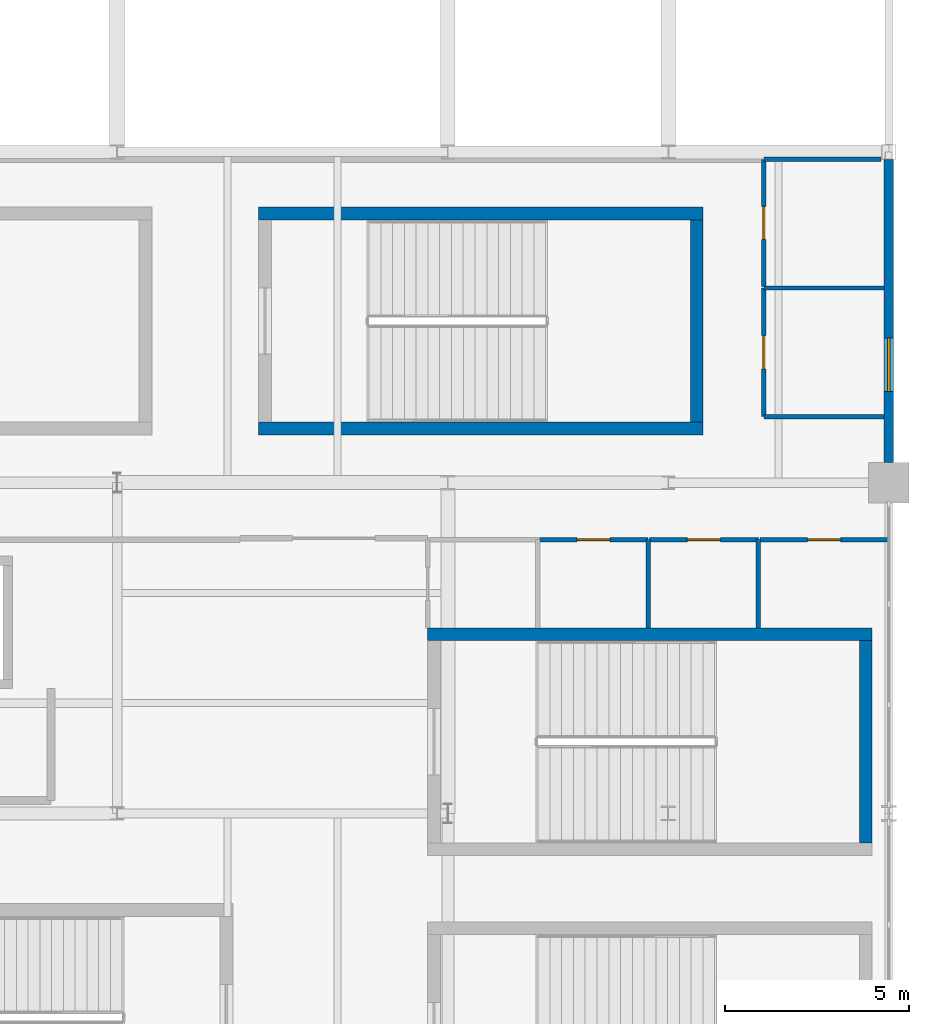
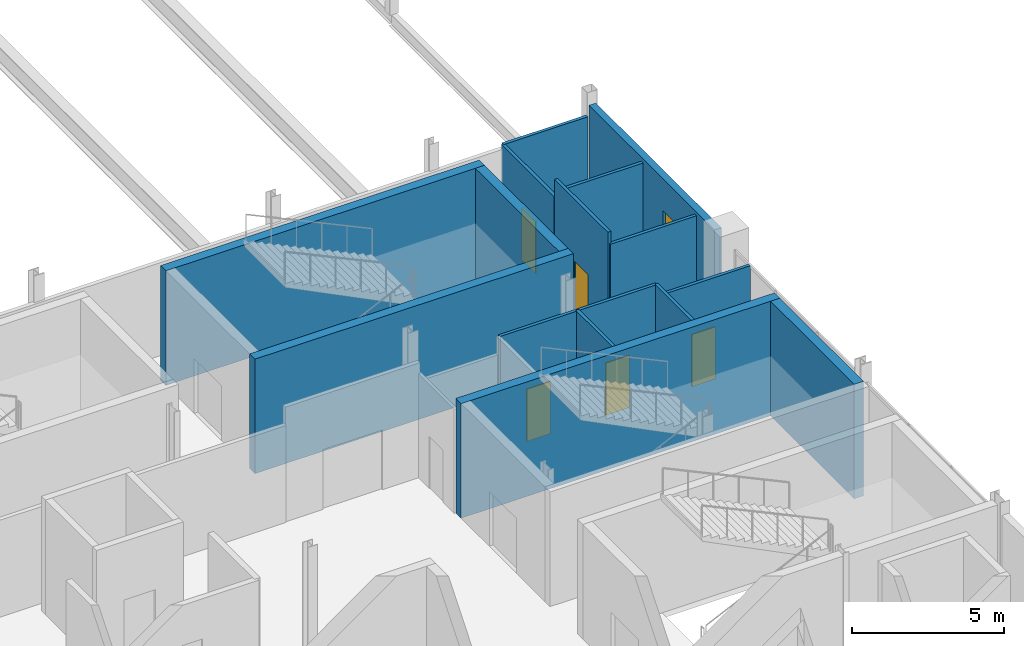
# One storey, part 201 of 224: 16 walls, 5 doors, 1 window, 6 openings.
"""IFC4 building model written with IfcOpenShell, lengths in metres."""

import ifcopenshell
import ifcopenshell.guid

model = None  # the IFC model being written
_history = None  # IfcOwnerHistory: only IFC2X3 demands one
_inside = {}  # id of a spatial element -> (the spatial element, [elements in it])
_under = {}  # id of a project, library or spatial element -> (it, [spatial elements below it])
_declared = {}  # id of a project -> (the project, [libraries it declares])
_typed = {}  # id of a type object -> (the type object, [elements of that type])
_made_of = {}  # id of a material, layer set ... -> (it, [elements and type objects made of it])


def new_model(schema):
    """Start an empty IFC model of exactly this schema.

    Asked for "IFC4X3", IfcOpenShell would pick the latest addendum, in which some entities
    have other attributes; the version numbers below select the first issue.
    IFC2X3 requires an IfcOwnerHistory on every rooted entity: one is made here for all.
    """
    global model, _history
    if schema == "IFC4X3":
        model = ifcopenshell.file(schema_version=(4, 3, 0, 0))
    else:
        model = ifcopenshell.file(schema=schema)
    _inside.clear()
    _under.clear()
    _declared.clear()
    _typed.clear()
    _made_of.clear()
    _history = None
    if model.schema == "IFC2X3":
        org = make("IfcOrganization", Name="unknown")
        user = make(
            "IfcPersonAndOrganization",
            ThePerson=make("IfcPerson", FamilyName="unknown"),
            TheOrganization=org,
        )
        app = make(
            "IfcApplication",
            ApplicationDeveloper=org,
            Version="unknown",
            ApplicationFullName="unknown",
            ApplicationIdentifier="unknown",
        )
        _history = make(
            "IfcOwnerHistory",
            OwningUser=user,
            OwningApplication=app,
            ChangeAction="ADDED",
            CreationDate=0,
        )
    return model


def make(cls, **values):
    """One entity of the class cls with the attributes given. An attribute that is None is left unset."""
    return model.create_entity(
        cls, **{name: value for name, value in values.items() if value is not None}
    )


def rooted(cls, **values):
    """An entity with a GlobalId (a new one), such as an element, a storey or a relation."""
    return make(cls, GlobalId=ifcopenshell.guid.new(), OwnerHistory=_history, **values)


def si_unit(unit_type, name, prefix=None):
    """IfcSIUnit, for example si_unit("LENGTHUNIT", "METRE", prefix="MILLI")."""
    return make("IfcSIUnit", UnitType=unit_type, Prefix=prefix, Name=name)


def assignment(units):
    """IfcUnitAssignment: the units of a project."""
    return None if units is None else make("IfcUnitAssignment", Units=units)


def point(xyz):
    """IfcCartesianPoint."""
    return None if xyz is None else make("IfcCartesianPoint", Coordinates=xyz)


def direction(xyz):
    """IfcDirection."""
    return None if xyz is None else make("IfcDirection", DirectionRatios=xyz)


def frame(location, z_axis=None, x_axis=None):
    """IfcAxis2Placement3D, a coordinate frame: its origin and axes. An axis left out is left unset."""
    return make(
        "IfcAxis2Placement3D",
        Location=point(location),
        Axis=direction(z_axis),
        RefDirection=direction(x_axis),
    )


def frame_2d(location, x_axis=None):
    """IfcAxis2Placement2D, a coordinate frame in the plane: its origin and x axis."""
    return make(
        "IfcAxis2Placement2D", Location=point(location), RefDirection=direction(x_axis)
    )


def origin():
    """The frame at (0, 0, 0) with its axes left unset."""
    return frame((0.0, 0.0, 0.0))


def place(relative_to, where):
    """IfcLocalPlacement: puts the frame where relative to a parent placement (None: the world)."""
    return make(
        "IfcLocalPlacement", PlacementRelTo=relative_to, RelativePlacement=where
    )


def context(
    kind, dimensions, precision=None, world=None, true_north=None, identifier=None
):
    """IfcGeometricRepresentationContext, for example the 3D "Model" context."""
    return make(
        "IfcGeometricRepresentationContext",
        ContextIdentifier=identifier,
        ContextType=kind,
        CoordinateSpaceDimension=dimensions,
        Precision=precision,
        WorldCoordinateSystem=world,
        TrueNorth=true_north,
    )


def subcontext(parent, identifier, kind, view, scale=None):
    """IfcGeometricRepresentationSubContext, for example "Body" below "Model"."""
    return make(
        "IfcGeometricRepresentationSubContext",
        ContextIdentifier=identifier,
        ContextType=kind,
        ParentContext=parent,
        TargetScale=scale,
        TargetView=view,
    )


def project(units=None, contexts=None):
    """IfcProject with its units and contexts."""
    return rooted(
        "IfcProject",
        Name="project",
        RepresentationContexts=contexts,
        UnitsInContext=assignment(units),
    )


def spatial(cls, under=None, at=None, **own):
    """A site, building, storey or space (cls), placed at a placement, below another one or the project."""
    s = rooted(cls, ObjectPlacement=at, **own)
    if under is not None:
        _under.setdefault(under.id(), (under, []))[1].append(s)
    return s


def profile(cls, at=None, kind="AREA", **sizes):
    """A parametric profile (cls). Its sizes go by their IFC names, for example OverallWidth=200.0."""
    return make(cls, ProfileType=kind, Position=at, **sizes)


def rectangle(**sizes):
    """IfcRectangleProfileDef."""
    return profile("IfcRectangleProfileDef", **sizes)


def extrude(swept, where, along, depth):
    """IfcExtrudedAreaSolid: the profile swept, set in the frame where, extruded along a direction by depth."""
    return make(
        "IfcExtrudedAreaSolid",
        SweptArea=swept,
        Position=where,
        ExtrudedDirection=direction(along),
        Depth=depth,
    )


def shape(context_of_items, identifier, shape_type, items):
    """IfcShapeRepresentation: the items that make up one representation, for example the "Body"."""
    return make(
        "IfcShapeRepresentation",
        ContextOfItems=context_of_items,
        RepresentationIdentifier=identifier,
        RepresentationType=shape_type,
        Items=items,
    )


def material(Name=None, Category=None):
    """IfcMaterial."""
    return make("IfcMaterial", Name=Name, Category=Category)


def layer(
    of_material, thickness, ventilated=None, Name=None, Category=None, Priority=None
):
    """IfcMaterialLayer: one layer of a wall or slab, of a material (None: an air gap)."""
    return make(
        "IfcMaterialLayer",
        Material=of_material,
        LayerThickness=thickness,
        IsVentilated=ventilated,
        Name=Name,
        Category=Category,
        Priority=Priority,
    )


def layer_set(layers, Name=None):
    """IfcMaterialLayerSet."""
    return make("IfcMaterialLayerSet", MaterialLayers=layers, LayerSetName=Name)


def made_of(thing, what):
    """Note that an element or type object is made of a material, layer set ...; save() writes the relation."""
    if what is not None:
        _made_of.setdefault(what.id(), (what, []))[1].append(thing)
    return thing


def type_object(cls, material=None, **own):
    """A type object (cls), such as IfcWallType, which elements share."""
    return made_of(rooted(cls, **own), material)


def element(
    cls,
    number,
    at=None,
    inside=None,
    cuts=None,
    type_object=None,
    material=None,
    context=None,
    identifier="Body",
    shape_type=None,
    held_by="IfcProductDefinitionShape",
    body=None,
    shapes=None,
    **own,
):
    """One element of the class cls, such as IfcWall. Its Tag is "e" and its number.

    at: its placement. inside: the storey or other place that contains it. cuts: it is an
    opening in that element (IfcRelVoidsElement). A single representation is given by context,
    identifier, shape_type and body (its items); several are given by shapes. held_by: the class
    of the entity that holds the representations. save() writes the other relations.
    """
    e = rooted(cls, Tag="e%d" % number, ObjectPlacement=at, **own)
    if body is not None:
        shapes = [shape(context, identifier, shape_type, body)]
    if shapes is not None:
        e.Representation = make(held_by, Representations=shapes)
    if inside is not None:
        _inside.setdefault(inside.id(), (inside, []))[1].append(e)
    if cuts is not None:
        rooted(
            "IfcRelVoidsElement", RelatingBuildingElement=cuts, RelatedOpeningElement=e
        )
    if type_object is not None:
        _typed.setdefault(type_object.id(), (type_object, []))[1].append(e)
    return made_of(e, material)


def fill(opening, filler):
    """IfcRelFillsElement: the door or window that sits in an opening."""
    return rooted(
        "IfcRelFillsElement",
        RelatingOpeningElement=opening,
        RelatedBuildingElement=filler,
    )


def aggregate(whole, parts):
    """IfcRelAggregates: a whole, such as a stair, and the parts it consists of."""
    return rooted("IfcRelAggregates", RelatingObject=whole, RelatedObjects=parts)


def save(model, path):
    """Write the relations noted so far, then the file.

    IfcRelAggregates (storeys below a building ...), IfcRelContainedInSpatialStructure (elements
    in a storey), IfcRelDefinesByType, IfcRelAssociatesMaterial and IfcRelDeclares: one each for
    every whole, place, type object, material and project.
    """
    for whole, parts in _under.values():
        aggregate(whole, parts)
    for where, things in _inside.values():
        rooted(
            "IfcRelContainedInSpatialStructure",
            RelatedElements=things,
            RelatingStructure=where,
        )
    for kind, things in _typed.values():
        rooted("IfcRelDefinesByType", RelatedObjects=things, RelatingType=kind)
    for what, things in _made_of.values():
        rooted("IfcRelAssociatesMaterial", RelatedObjects=things, RelatingMaterial=what)
    for by, libraries in _declared.values():
        rooted("IfcRelDeclares", RelatingContext=by, RelatedDefinitions=libraries)
    model.write(path)


model = new_model("IFC4")

# Units and contexts
model_context = context("Model", 3, precision=1e-05, world=origin(), true_north=direction((0.0, 1.0)))
body_context = subcontext(model_context, "Body", "Model", "MODEL_VIEW")
ifc_project = project(units=[si_unit("LENGTHUNIT", "METRE"), si_unit("AREAUNIT", "SQUARE_METRE"), si_unit("VOLUMEUNIT", "CUBIC_METRE"), si_unit("PLANEANGLEUNIT", "RADIAN"), si_unit("MASSUNIT", "GRAM", prefix="KILO")], contexts=[model_context])

# Site, building, storey
site_placement = place(None, origin())
site = spatial("IfcSite", under=ifc_project, at=site_placement, CompositionType="ELEMENT")
building_placement = place(site_placement, origin())
building = spatial("IfcBuilding", under=site, at=building_placement, Name="Qamarlyn Nura Convention Centre", CompositionType="ELEMENT")
storey_placement = place(building_placement, frame((0.0, 0.0, 10.800048828125)))
storey = spatial("IfcBuildingStorey", under=building, at=storey_placement, Name="L02", CompositionType="ELEMENT", Elevation=10.800048828125)

# Walls
ifc_material_1 = material(Name="Concrete C50/60", Category="concrete")
ifc_layer_1 = layer(ifc_material_1, 0.35009765625, Name="WT-CORE-350")
ifc_layer_set_1 = layer_set([ifc_layer_1], Name="Concrete C50/60")
wall_type_1 = type_object("IfcWallType", Name="WT-CORE-350", PredefinedType="SHEAR", material=ifc_layer_set_1)
wall_1_placement = place(storey_placement, frame((191.550048828125, 76.875, 0.0), z_axis=(0.0, 0.0, 1.0), x_axis=(-1.0, 0.0, 0.0)))
element("IfcWall", 1, at=wall_1_placement, inside=storey, type_object=wall_type_1, Name="L02 stair core shear wall ST-14-N", PredefinedType="SHEAR", context=body_context, shape_type="SweptSolid", body=[
    extrude(rectangle(XDim=12.10009765625, YDim=0.35009765625, at=frame_2d((6.050048828125, 0.0))), origin(), (0.0, 0.0, 1.0), 4.599853515625),
])
wall_2_placement = place(storey_placement, frame((191.375, 71.199951171875, 0.0), z_axis=(0.0, 0.0, 1.0), x_axis=(0.0, 1.0, 0.0)))
element("IfcWall", 2, at=wall_2_placement, inside=storey, type_object=wall_type_1, Name="L02 stair core shear wall ST-14-E", PredefinedType="SHEAR", context=body_context, shape_type="SweptSolid", body=[
    extrude(rectangle(XDim=5.5, YDim=0.35009765625, at=frame_2d((2.75, 0.0))), origin(), (0.0, 0.0, 1.0), 4.599853515625),
])
for number, where, z_axis, x_axis, name in (
    (3, (174.85009765625, 82.47509765625, 0.0), (0.0, 0.0, 1.0), (1.0, 0.0, 0.0), "L02 stair core shear wall ST-17-S"),
    (4, (186.949951171875, 88.324951171875, 0.0), (0.0, 0.0, 1.0), (-1.0, 0.0, 0.0), "L02 stair core shear wall ST-17-N"),
):
    element("IfcWall", number, at=place(storey_placement, frame(where, z_axis=z_axis, x_axis=x_axis)), inside=storey, type_object=wall_type_1, Name=name, PredefinedType="SHEAR", context=body_context, shape_type="SweptSolid", body=[
        extrude(rectangle(XDim=12.099853515625, YDim=0.35009765625, at=frame_2d((6.0498046875, 0.0))), origin(), (0.0, 0.0, 1.0), 4.599853515625),
    ])
wall_3_placement = place(storey_placement, frame((186.77490234375, 82.64990234375, 0.0), z_axis=(0.0, 0.0, 1.0), x_axis=(0.0, 1.0, 0.0)))
element("IfcWall", 5, at=wall_3_placement, inside=storey, type_object=wall_type_1, Name="L02 stair core shear wall ST-17-E", PredefinedType="SHEAR", context=body_context, shape_type="SweptSolid", body=[
    extrude(rectangle(XDim=5.5, YDim=0.35009765625, at=frame_2d((2.75, 0.0))), origin(), (0.0, 0.0, 1.0), 4.599853515625),
])

# Wall, opening, window
ifc_material_2 = material(Name="Concrete C40/50", Category="concrete")
ifc_layer_2 = layer(ifc_material_2, 0.260009765625, Name="WT-EXT-260")
ifc_layer_set_2 = layer_set([ifc_layer_2], Name="Concrete C40/50")
wall_type_2 = type_object("IfcWallType", Name="WT-EXT-260", PredefinedType="SOLIDWALL", material=ifc_layer_set_2)
wall_4_placement = place(storey_placement, frame((192.0, 89.800048828125, 0.0), z_axis=(0.0, 0.0, 1.0), x_axis=(0.0, -1.0, 0.0)))
wall_4 = element("IfcWall", 6, at=wall_4_placement, inside=storey, type_object=wall_type_2, Name="L02 exterior facade wall WEXT-L02-1920-898-1920-816", PredefinedType="SOLIDWALL", context=body_context, shape_type="SweptSolid", body=[
    extrude(rectangle(XDim=8.25, YDim=0.260009765625, at=frame_2d((4.125, 0.0))), origin(), (0.0, 0.0, 1.0), 4.284912109375),
])
opening_1_placement = place(wall_4_placement, frame((4.862548828125, 0.0, 0.949951171875)))
opening_1 = element("IfcOpeningElement", 7, at=opening_1_placement, cuts=wall_4, Name="Opening WN13", PredefinedType="OPENING", context=body_context, shape_type="SweptSolid", body=[
    extrude(rectangle(XDim=1.449951171875, YDim=2.050048828125, at=frame_2d((0.72509765625, 1.02490234375))), frame((0.0, 0.14013671875, 0.0), z_axis=(0.0, -1.0, 0.0), x_axis=(1.0, 0.0, 0.0)), (0.0, 0.0, 1.0), 0.280029296875),
])
ifc_material_3 = material(Name="Double-silver low-E insulated glass", Category="glass")
window_type = type_object("IfcWindowType", Name="WIN-SOL-13", PartitioningType="SINGLE_PANEL", PredefinedType="WINDOW", material=ifc_material_3)
window_placement = place(opening_1_placement, origin())
window = element("IfcWindow", 8, at=window_placement, inside=storey, type_object=window_type, Name="L02 solar-control window 037", OverallHeight=2.050048828125, OverallWidth=1.449951171875, PartitioningType="SINGLE_PANEL", PredefinedType="WINDOW", context=body_context, shape_type="SweptSolid", body=[
    extrude(rectangle(XDim=1.449951171875, YDim=2.050048828125, at=frame_2d((0.72509765625, 1.02490234375))), frame((0.0, 0.030029296875, 0.0), z_axis=(0.0, -1.0, 0.0), x_axis=(1.0, 0.0, 0.0)), (0.0, 0.0, 1.0), 0.06005859375),
])
fill(opening_1, window)

# Wall
ifc_material_4 = material(Name="Acoustic double-stud gypsum partition")
ifc_layer_3 = layer(ifc_material_4, 0.1201171875, Name="WT-PART-120")
ifc_layer_set_3 = layer_set([ifc_layer_3], Name="Acoustic double-stud gypsum partition")
wall_type_3 = type_object("IfcWallType", Name="WT-PART-120", PredefinedType="PARTITIONING", material=ifc_layer_set_3)
wall_5_placement = place(storey_placement, frame((185.449951171875, 79.449951171875, 0.0), z_axis=(0.0, 0.0, 1.0), x_axis=(0.0, -1.0, 0.0)))
element("IfcWall", 9, at=wall_5_placement, inside=storey, type_object=wall_type_3, Name="L02 interior partition L02-SIB-02-1-1", PredefinedType="PARTITIONING", context=body_context, shape_type="SweptSolid", body=[
    extrude(rectangle(XDim=2.39990234375, YDim=0.1201171875, at=frame_2d((1.199951171875, 0.0))), origin(), (0.0, 0.0, 1.0), 4.599853515625),
])

# Wall, opening, door
wall_6_placement = place(storey_placement, frame((182.489990234375, 79.449951171875, 0.0), z_axis=(0.0, 0.0, 1.0), x_axis=(1.0, 0.0, 0.0)))
wall_6 = element("IfcWall", 10, at=wall_6_placement, inside=storey, type_object=wall_type_3, Name="L02 interior partition L02-SIB-02-4-1", PredefinedType="PARTITIONING", context=body_context, shape_type="SweptSolid", body=[
    extrude(rectangle(XDim=2.9599609375, YDim=0.1201171875, at=frame_2d((1.47998046875, 0.0))), origin(), (0.0, 0.0, 1.0), 4.599853515625),
])
opening_2_placement = place(wall_6_placement, frame((1.030029296875, 0.0, 0.0)))
opening_2 = element("IfcOpeningElement", 11, at=opening_2_placement, cuts=wall_6, Name="Opening D-L02-172", PredefinedType="OPENING", context=body_context, shape_type="SweptSolid", body=[
    extrude(rectangle(XDim=0.89990234375, YDim=2.10009765625, at=frame_2d((0.449951171875, 1.050048828125))), frame((0.0, 0.070068359375, 0.0), z_axis=(0.0, -1.0, 0.0), x_axis=(1.0, 0.0, 0.0)), (0.0, 0.0, 1.0), 0.14013671875),
])
ifc_material_5 = material(Name="Acoustic walnut timber leaf", Category="wood")
door_type = type_object("IfcDoorType", Name="DR-SIB-090", OperationType="NOTDEFINED", PredefinedType="DOOR", material=ifc_material_5)
door_1_placement = place(opening_2_placement, origin())
door_1 = element("IfcDoor", 12, at=door_1_placement, inside=storey, type_object=door_type, Name="L02 Simultaneous Interpretation Booth 2 door D-L02-172", OperationType="SINGLE_SWING_LEFT", OverallHeight=2.10009765625, OverallWidth=0.89990234375, PredefinedType="DOOR", context=body_context, shape_type="SweptSolid", body=[
    extrude(rectangle(XDim=0.89990234375, YDim=2.10009765625, at=frame_2d((0.449951171875, 1.050048828125))), frame((0.0, 0.02490234375, 0.0), z_axis=(0.0, -1.0, 0.0), x_axis=(1.0, 0.0, 0.0)), (0.0, 0.0, 1.0), 0.050048828125),
])
fill(opening_2, door_1)

# Wall
wall_7_placement = place(storey_placement, frame((188.449951171875, 79.449951171875, 0.0), z_axis=(0.0, 0.0, 1.0), x_axis=(0.0, -1.0, 0.0)))
element("IfcWall", 13, at=wall_7_placement, inside=storey, type_object=wall_type_3, Name="L02 interior partition L02-SIB-03-1-1", PredefinedType="PARTITIONING", context=body_context, shape_type="SweptSolid", body=[
    extrude(rectangle(XDim=2.39990234375, YDim=0.1201171875, at=frame_2d((1.199951171875, 0.0))), origin(), (0.0, 0.0, 1.0), 4.599853515625),
])

# Wall, opening, door
wall_8_placement = place(storey_placement, frame((185.489990234375, 79.449951171875, 0.0), z_axis=(0.0, 0.0, 1.0), x_axis=(1.0, 0.0, 0.0)))
wall_8 = element("IfcWall", 14, at=wall_8_placement, inside=storey, type_object=wall_type_3, Name="L02 interior partition L02-SIB-03-4-1", PredefinedType="PARTITIONING", context=body_context, shape_type="SweptSolid", body=[
    extrude(rectangle(XDim=2.9599609375, YDim=0.1201171875, at=frame_2d((1.47998046875, 0.0))), origin(), (0.0, 0.0, 1.0), 4.599853515625),
])
opening_3_placement = place(wall_8_placement, frame((1.030029296875, 0.0, 0.0)))
opening_3 = element("IfcOpeningElement", 15, at=opening_3_placement, cuts=wall_8, Name="Opening D-L02-173", PredefinedType="OPENING", context=body_context, shape_type="SweptSolid", body=[
    extrude(rectangle(XDim=0.89990234375, YDim=2.10009765625, at=frame_2d((0.449951171875, 1.050048828125))), frame((0.0, 0.070068359375, 0.0), z_axis=(0.0, -1.0, 0.0), x_axis=(1.0, 0.0, 0.0)), (0.0, 0.0, 1.0), 0.14013671875),
])
door_2_placement = place(opening_3_placement, origin())
door_2 = element("IfcDoor", 16, at=door_2_placement, inside=storey, type_object=door_type, Name="L02 Simultaneous Interpretation Booth 3 door D-L02-173", OperationType="SINGLE_SWING_RIGHT", OverallHeight=2.10009765625, OverallWidth=0.89990234375, PredefinedType="DOOR", context=body_context, shape_type="SweptSolid", body=[
    extrude(rectangle(XDim=0.89990234375, YDim=2.10009765625, at=frame_2d((0.449951171875, 1.050048828125))), frame((0.0, 0.02490234375, 0.0), z_axis=(0.0, -1.0, 0.0), x_axis=(1.0, 0.0, 0.0)), (0.0, 0.0, 1.0), 0.050048828125),
])
fill(opening_3, door_2)

wall_9_placement = place(storey_placement, frame((188.489990234375, 79.449951171875, 0.0), z_axis=(0.0, 0.0, 1.0), x_axis=(1.0, 0.0, 0.0)))
wall_9 = element("IfcWall", 17, at=wall_9_placement, inside=storey, type_object=wall_type_3, Name="L02 interior partition L02-SIB-04-8-1", PredefinedType="PARTITIONING", context=body_context, shape_type="SweptSolid", body=[
    extrude(rectangle(XDim=3.498046875, YDim=0.1201171875, at=frame_2d((1.7490234375, 0.0))), origin(), (0.0, 0.0, 1.0), 4.118896484375),
])
opening_4_placement = place(wall_9_placement, frame((1.299072265625, 0.0, 0.0)))
opening_4 = element("IfcOpeningElement", 18, at=opening_4_placement, cuts=wall_9, Name="Opening D-L02-174", PredefinedType="OPENING", context=body_context, shape_type="SweptSolid", body=[
    extrude(rectangle(XDim=0.89990234375, YDim=2.10009765625, at=frame_2d((0.449951171875, 1.050048828125))), frame((0.0, 0.070068359375, 0.0), z_axis=(0.0, -1.0, 0.0), x_axis=(1.0, 0.0, 0.0)), (0.0, 0.0, 1.0), 0.14013671875),
])
door_3_placement = place(opening_4_placement, origin())
door_3 = element("IfcDoor", 19, at=door_3_placement, inside=storey, type_object=door_type, Name="L02 Simultaneous Interpretation Booth 4 door D-L02-174", OperationType="SINGLE_SWING_LEFT", OverallHeight=2.10009765625, OverallWidth=0.89990234375, PredefinedType="DOOR", context=body_context, shape_type="SweptSolid", body=[
    extrude(rectangle(XDim=0.89990234375, YDim=2.10009765625, at=frame_2d((0.449951171875, 1.050048828125))), frame((0.0, 0.02490234375, 0.0), z_axis=(0.0, -1.0, 0.0), x_axis=(1.0, 0.0, 0.0)), (0.0, 0.0, 1.0), 0.050048828125),
])
fill(opening_4, door_3)

# Walls
for number, where, z_axis, x_axis, name in (
    (20, (188.60009765625, 86.300048828125, 0.0), (0.0, 0.0, 1.0), (1.0, 0.0, 0.0), "L02 interior partition L02-SIB-05-1-1"),
    (21, (191.8701171875, 82.800048828125, 0.0), (0.0, 0.0, 1.0), (-1.0, 0.0, 0.0), "L02 interior partition L02-SIB-05-3-1"),
):
    element("IfcWall", number, at=place(storey_placement, frame(where, z_axis=z_axis, x_axis=x_axis)), inside=storey, type_object=wall_type_3, Name=name, PredefinedType="PARTITIONING", context=body_context, shape_type="SweptSolid", body=[
        extrude(rectangle(XDim=3.27001953125, YDim=0.1201171875, at=frame_2d((1.635009765625, 0.0))), origin(), (0.0, 0.0, 1.0), 4.1279296875),
    ])

# Wall, opening, door
wall_10_placement = place(storey_placement, frame((188.60009765625, 82.800048828125, 0.0), z_axis=(0.0, 0.0, 1.0), x_axis=(0.0, 1.0, 0.0)))
wall_10 = element("IfcWall", 22, at=wall_10_placement, inside=storey, type_object=wall_type_3, Name="L02 interior partition L02-SIB-05-4-1", PredefinedType="PARTITIONING", context=body_context, shape_type="SweptSolid", body=[
    extrude(rectangle(XDim=3.5, YDim=0.1201171875, at=frame_2d((1.75, 0.0))), origin(), (0.0, 0.0, 1.0), 4.599853515625),
])
opening_5_placement = place(wall_10_placement, frame((1.300048828125, 0.0, 0.0)))
opening_5 = element("IfcOpeningElement", 23, at=opening_5_placement, cuts=wall_10, Name="Opening D-L02-175", PredefinedType="OPENING", context=body_context, shape_type="SweptSolid", body=[
    extrude(rectangle(XDim=0.89990234375, YDim=2.10009765625, at=frame_2d((0.449951171875, 1.050048828125))), frame((0.0, 0.070068359375, 0.0), z_axis=(0.0, -1.0, 0.0), x_axis=(1.0, 0.0, 0.0)), (0.0, 0.0, 1.0), 0.14013671875),
])
door_4_placement = place(opening_5_placement, origin())
door_4 = element("IfcDoor", 24, at=door_4_placement, inside=storey, type_object=door_type, Name="L02 Simultaneous Interpretation Booth 5 door D-L02-175", OperationType="SINGLE_SWING_RIGHT", OverallHeight=2.10009765625, OverallWidth=0.89990234375, PredefinedType="DOOR", context=body_context, shape_type="SweptSolid", body=[
    extrude(rectangle(XDim=0.89990234375, YDim=2.10009765625, at=frame_2d((0.449951171875, 1.050048828125))), frame((0.0, 0.02490234375, 0.0), z_axis=(0.0, -1.0, 0.0), x_axis=(1.0, 0.0, 0.0)), (0.0, 0.0, 1.0), 0.050048828125),
])
fill(opening_5, door_4)

# Wall
wall_11_placement = place(storey_placement, frame((188.60009765625, 89.800048828125, 0.0), z_axis=(0.0, 0.0, 1.0), x_axis=(1.0, 0.0, 0.0)))
element("IfcWall", 25, at=wall_11_placement, inside=storey, type_object=wall_type_3, Name="L02 interior partition L02-SIB-06-1-1", PredefinedType="PARTITIONING", context=body_context, shape_type="SweptSolid", body=[
    extrude(rectangle(XDim=3.18994140625, YDim=0.1201171875, at=frame_2d((1.594970703125, 0.0))), origin(), (0.0, 0.0, 1.0), 3.889892578125),
])

# Wall, opening, door
wall_12_placement = place(storey_placement, frame((188.60009765625, 86.340087890625, 0.0), z_axis=(0.0, 0.0, 1.0), x_axis=(0.0, 1.0, 0.0)))
wall_12 = element("IfcWall", 26, at=wall_12_placement, inside=storey, type_object=wall_type_3, Name="L02 interior partition L02-SIB-06-4-1", PredefinedType="PARTITIONING", context=body_context, shape_type="SweptSolid", body=[
    extrude(rectangle(XDim=3.4599609375, YDim=0.1201171875, at=frame_2d((1.72998046875, 0.0))), origin(), (0.0, 0.0, 1.0), 3.889892578125),
])
opening_6_placement = place(wall_12_placement, frame((1.280029296875, 0.0, 0.0)))
opening_6 = element("IfcOpeningElement", 27, at=opening_6_placement, cuts=wall_12, Name="Opening D-L02-176", PredefinedType="OPENING", context=body_context, shape_type="SweptSolid", body=[
    extrude(rectangle(XDim=0.89990234375, YDim=2.10009765625, at=frame_2d((0.449951171875, 1.050048828125))), frame((0.0, 0.070068359375, 0.0), z_axis=(0.0, -1.0, 0.0), x_axis=(1.0, 0.0, 0.0)), (0.0, 0.0, 1.0), 0.14013671875),
])
door_5_placement = place(opening_6_placement, origin())
door_5 = element("IfcDoor", 28, at=door_5_placement, inside=storey, type_object=door_type, Name="L02 Simultaneous Interpretation Booth 6 door D-L02-176", OperationType="SINGLE_SWING_LEFT", OverallHeight=2.10009765625, OverallWidth=0.89990234375, PredefinedType="DOOR", context=body_context, shape_type="SweptSolid", body=[
    extrude(rectangle(XDim=0.89990234375, YDim=2.10009765625, at=frame_2d((0.449951171875, 1.050048828125))), frame((0.0, 0.02490234375, 0.0), z_axis=(0.0, -1.0, 0.0), x_axis=(1.0, 0.0, 0.0)), (0.0, 0.0, 1.0), 0.050048828125),
])
fill(opening_6, door_5)

save(model, "model.ifc")
